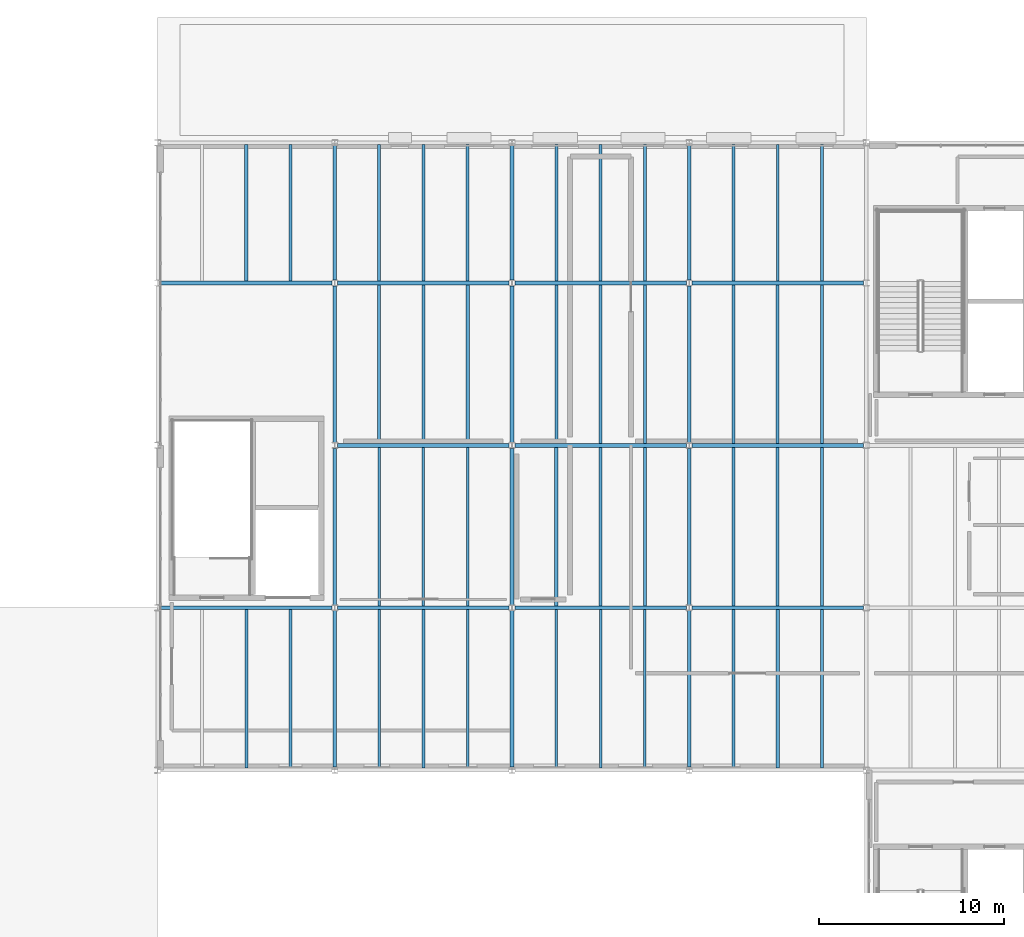
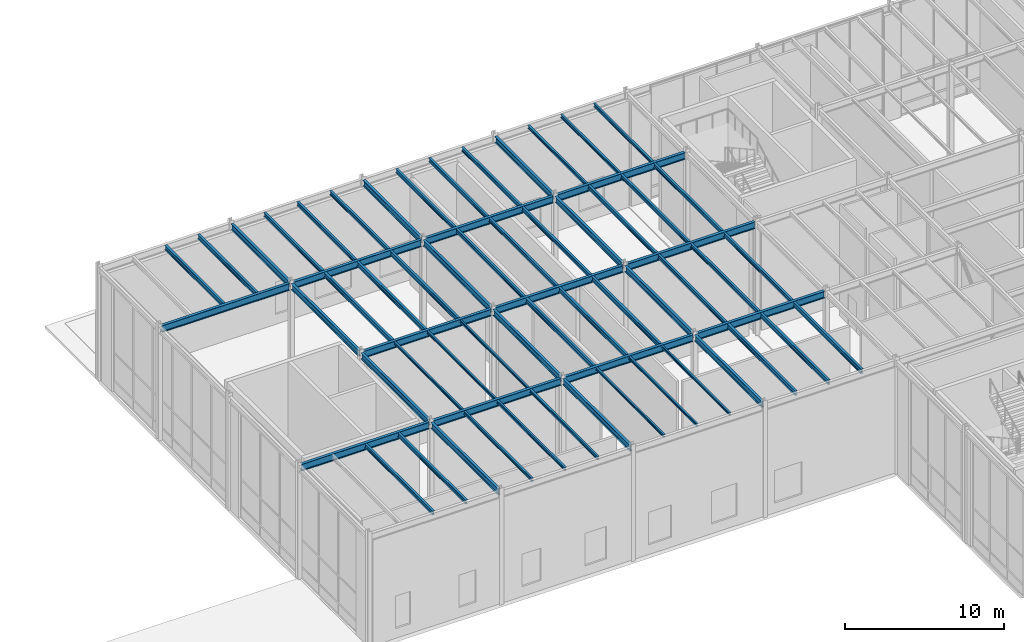
# One storey, part 13 of 48: 63 beams.
"""IFC4 building model written with IfcOpenShell, lengths in metres."""

from ifc_helpers import new_model, si_unit, direction, frame, origin, origin_2d, place, context, subcontext, project, spatial, i_section, extrude, material, material_profile, profile_set, type_object, element, save


model = new_model("IFC4")

# Units and contexts
model_context = context("Model", 3, precision=1e-05, world=origin(), true_north=direction((0.0, 1.0)))
body_context = subcontext(model_context, "Body", "Model", "MODEL_VIEW")
ifc_project = project(units=[si_unit("LENGTHUNIT", "METRE"), si_unit("AREAUNIT", "SQUARE_METRE"), si_unit("VOLUMEUNIT", "CUBIC_METRE"), si_unit("PLANEANGLEUNIT", "RADIAN"), si_unit("MASSUNIT", "GRAM", prefix="KILO")], contexts=[model_context])

# Site, building, storey
site_placement = place(None, origin())
site = spatial("IfcSite", under=ifc_project, at=site_placement, CompositionType="ELEMENT")
building_placement = place(site_placement, origin())
building = spatial("IfcBuilding", under=site, at=building_placement, Name="Sarnbrook Museum", CompositionType="ELEMENT")
storey_placement = place(building_placement, frame((0.0, 0.0, 19.10009765625)))
storey = spatial("IfcBuildingStorey", under=building, at=storey_placement, Name="L04", CompositionType="ELEMENT", Elevation=19.10009765625)

# Beams
ifc_material = material(Name="Structural Steel Grade 300PLUS (AS/NZS 3679.1, fy = 280 MPa for 17 < t <= 40 mm, 300 MPa for t <= 17 mm)", Category="steel")
ifc_material_profile_1 = material_profile(ifc_material, i_section(OverallWidth=0.18994140625, OverallDepth=0.45703125, WebThickness=0.009033203125, FlangeThickness=0.014404296875, FilletRadius=0.011474609375, at=origin_2d()), Name="460UB74.6")
ifc_profile_set_1 = profile_set([ifc_material_profile_1], Name="Structural Steel Grade 300PLUS (AS/NZS 3679.1, fy = 280 MPa for 17 < t <= 40 mm, 300 MPa for t <= 17 mm)")
beam_type_1 = type_object("IfcBeamType", Name="BM-UB460", PredefinedType="BEAM", material=ifc_profile_set_1)
beam_1_placement = place(storey_placement, frame((52.0, 74.5576171875, 8.521484375), z_axis=(0.0, 1.0, 0.0), x_axis=(-1.0, 0.0, 0.0)))
element("IfcBeam", 1, at=beam_1_placement, inside=storey, type_object=beam_type_1, Name="Girder 6:J-K L04", PredefinedType="BEAM", context=body_context, shape_type="SweptSolid", body=[
    extrude(i_section(OverallWidth=0.18994140625, OverallDepth=0.45703125, WebThickness=0.009033203125, FlangeThickness=0.014404296875, FilletRadius=0.011474609375, at=origin_2d()), origin(), (0.0, 0.0, 1.0), 8.48486328125),
])
for number, where, z_axis, x_axis, name in (
    (2, (52.0, 83.357421875, 8.521484375), (0.0, 1.0, 0.0), (-1.0, 0.0, 0.0), "Girder 6:K-L L04"),
    (3, (52.0, 92.157470703125, 8.521484375), (0.0, 1.0, 0.0), (-1.0, 0.0, 0.0), "Girder 6:L-M L04"),
):
    element("IfcBeam", number, at=place(storey_placement, frame(where, z_axis=z_axis, x_axis=x_axis)), inside=storey, type_object=beam_type_1, Name=name, PredefinedType="BEAM", context=body_context, shape_type="SweptSolid", body=[
        extrude(i_section(OverallWidth=0.18994140625, OverallDepth=0.45703125, WebThickness=0.009033203125, FlangeThickness=0.014404296875, FilletRadius=0.011474609375, at=origin_2d()), origin(), (0.0, 0.0, 1.0), 8.485107421875),
    ])
beam_2_placement = place(storey_placement, frame((52.0, 100.95751953125, 8.521484375), z_axis=(0.0, 1.0, 0.0), x_axis=(-1.0, 0.0, 0.0)))
element("IfcBeam", 4, at=beam_2_placement, inside=storey, type_object=beam_type_1, Name="Girder 6:M-N L04", PredefinedType="BEAM", context=body_context, shape_type="SweptSolid", body=[
    extrude(i_section(OverallWidth=0.18994140625, OverallDepth=0.45703125, WebThickness=0.009033203125, FlangeThickness=0.014404296875, FilletRadius=0.011474609375, at=origin_2d()), origin(), (0.0, 0.0, 1.0), 7.284912109375),
])
beam_3_placement = place(storey_placement, frame((61.60009765625, 74.5576171875, 8.521484375), z_axis=(0.0, 1.0, 0.0), x_axis=(-1.0, 0.0, 0.0)))
element("IfcBeam", 5, at=beam_3_placement, inside=storey, type_object=beam_type_1, Name="Girder 7:J-K L04", PredefinedType="BEAM", context=body_context, shape_type="SweptSolid", body=[
    extrude(i_section(OverallWidth=0.18994140625, OverallDepth=0.45703125, WebThickness=0.009033203125, FlangeThickness=0.014404296875, FilletRadius=0.011474609375, at=origin_2d()), origin(), (0.0, 0.0, 1.0), 8.48486328125),
])
for number, where, z_axis, x_axis, name in (
    (6, (61.60009765625, 83.357421875, 8.521484375), (0.0, 1.0, 0.0), (-1.0, 0.0, 0.0), "Girder 7:K-L L04"),
    (7, (61.60009765625, 92.157470703125, 8.521484375), (0.0, 1.0, 0.0), (-1.0, 0.0, 0.0), "Girder 7:L-M L04"),
):
    element("IfcBeam", number, at=place(storey_placement, frame(where, z_axis=z_axis, x_axis=x_axis)), inside=storey, type_object=beam_type_1, Name=name, PredefinedType="BEAM", context=body_context, shape_type="SweptSolid", body=[
        extrude(i_section(OverallWidth=0.18994140625, OverallDepth=0.45703125, WebThickness=0.009033203125, FlangeThickness=0.014404296875, FilletRadius=0.011474609375, at=origin_2d()), origin(), (0.0, 0.0, 1.0), 8.485107421875),
    ])
beam_4_placement = place(storey_placement, frame((61.60009765625, 100.95751953125, 8.521484375), z_axis=(0.0, 1.0, 0.0), x_axis=(-1.0, 0.0, 0.0)))
element("IfcBeam", 8, at=beam_4_placement, inside=storey, type_object=beam_type_1, Name="Girder 7:M-N L04", PredefinedType="BEAM", context=body_context, shape_type="SweptSolid", body=[
    extrude(i_section(OverallWidth=0.18994140625, OverallDepth=0.45703125, WebThickness=0.009033203125, FlangeThickness=0.014404296875, FilletRadius=0.011474609375, at=origin_2d()), origin(), (0.0, 0.0, 1.0), 7.284912109375),
])
beam_5_placement = place(storey_placement, frame((71.199951171875, 74.5576171875, 8.521484375), z_axis=(0.0, 1.0, 0.0), x_axis=(-1.0, 0.0, 0.0)))
element("IfcBeam", 9, at=beam_5_placement, inside=storey, type_object=beam_type_1, Name="Girder 8:J-K L04", PredefinedType="BEAM", context=body_context, shape_type="SweptSolid", body=[
    extrude(i_section(OverallWidth=0.18994140625, OverallDepth=0.45703125, WebThickness=0.009033203125, FlangeThickness=0.014404296875, FilletRadius=0.011474609375, at=origin_2d()), origin(), (0.0, 0.0, 1.0), 8.48486328125),
])
for number, where, z_axis, x_axis, name in (
    (10, (71.199951171875, 83.357421875, 8.521484375), (0.0, 1.0, 0.0), (-1.0, 0.0, 0.0), "Girder 8:K-L L04"),
    (11, (71.199951171875, 92.157470703125, 8.521484375), (0.0, 1.0, 0.0), (-1.0, 0.0, 0.0), "Girder 8:L-M L04"),
):
    element("IfcBeam", number, at=place(storey_placement, frame(where, z_axis=z_axis, x_axis=x_axis)), inside=storey, type_object=beam_type_1, Name=name, PredefinedType="BEAM", context=body_context, shape_type="SweptSolid", body=[
        extrude(i_section(OverallWidth=0.18994140625, OverallDepth=0.45703125, WebThickness=0.009033203125, FlangeThickness=0.014404296875, FilletRadius=0.011474609375, at=origin_2d()), origin(), (0.0, 0.0, 1.0), 8.485107421875),
    ])
beam_6_placement = place(storey_placement, frame((71.199951171875, 100.95751953125, 8.521484375), z_axis=(0.0, 1.0, 0.0), x_axis=(-1.0, 0.0, 0.0)))
element("IfcBeam", 12, at=beam_6_placement, inside=storey, type_object=beam_type_1, Name="Girder 8:M-N L04", PredefinedType="BEAM", context=body_context, shape_type="SweptSolid", body=[
    extrude(i_section(OverallWidth=0.18994140625, OverallDepth=0.45703125, WebThickness=0.009033203125, FlangeThickness=0.014404296875, FilletRadius=0.011474609375, at=origin_2d()), origin(), (0.0, 0.0, 1.0), 7.284912109375),
])
ifc_material_profile_2 = material_profile(ifc_material, i_section(OverallWidth=0.208984375, OverallDepth=0.532958984375, WebThickness=0.01025390625, FlangeThickness=0.015625, FilletRadius=0.013916015625, at=origin_2d()), Name="530UB92.4")
ifc_profile_set_2 = profile_set([ifc_material_profile_2], Name="Structural Steel Grade 300PLUS (AS/NZS 3679.1, fy = 280 MPa for 17 < t <= 40 mm, 300 MPa for t <= 17 mm)")
beam_type_2 = type_object("IfcBeamType", Name="BM-UB530", PredefinedType="BEAM", material=ifc_profile_set_2)
for number, where, z_axis, x_axis, name in (
    (13, (42.553466796875, 83.199951171875, 8.4833984375), (1.0, 0.0, 0.0), (0.0, 1.0, 0.0), "Girder K:5-6 L04"),
    (14, (52.153564453125, 83.199951171875, 8.4833984375), (1.0, 0.0, 0.0), (0.0, 1.0, 0.0), "Girder K:6-7 L04"),
    (15, (61.75341796875, 83.199951171875, 8.4833984375), (1.0, 0.0, 0.0), (0.0, 1.0, 0.0), "Girder K:7-8 L04"),
    (16, (71.353515625, 83.199951171875, 8.4833984375), (1.0, 0.0, 0.0), (0.0, 1.0, 0.0), "Girder K:8-9 L04"),
    (17, (52.153564453125, 92.0, 8.4833984375), (1.0, 0.0, 0.0), (0.0, 1.0, 0.0), "Girder L:6-7 L04"),
    (18, (61.75341796875, 92.0, 8.4833984375), (1.0, 0.0, 0.0), (0.0, 1.0, 0.0), "Girder L:7-8 L04"),
    (19, (71.353515625, 92.0, 8.4833984375), (1.0, 0.0, 0.0), (0.0, 1.0, 0.0), "Girder L:8-9 L04"),
    (20, (42.553466796875, 100.800048828125, 8.4833984375), (1.0, 0.0, 0.0), (0.0, 1.0, 0.0), "Girder M:5-6 L04"),
    (21, (52.153564453125, 100.800048828125, 8.4833984375), (1.0, 0.0, 0.0), (0.0, 1.0, 0.0), "Girder M:6-7 L04"),
    (22, (61.75341796875, 100.800048828125, 8.4833984375), (1.0, 0.0, 0.0), (0.0, 1.0, 0.0), "Girder M:7-8 L04"),
    (23, (71.353515625, 100.800048828125, 8.4833984375), (1.0, 0.0, 0.0), (0.0, 1.0, 0.0), "Girder M:8-9 L04"),
):
    element("IfcBeam", number, at=place(storey_placement, frame(where, z_axis=z_axis, x_axis=x_axis)), inside=storey, type_object=beam_type_2, Name=name, PredefinedType="BEAM", context=body_context, shape_type="SweptSolid", body=[
        extrude(i_section(OverallWidth=0.208984375, OverallDepth=0.532958984375, WebThickness=0.01025390625, FlangeThickness=0.015625, FilletRadius=0.013916015625, at=origin_2d()), origin(), (0.0, 0.0, 1.0), 9.29296875),
    ])
ifc_material_profile_3 = material_profile(ifc_material, i_section(OverallWidth=0.134033203125, OverallDepth=0.20703125, WebThickness=0.00634765625, FlangeThickness=0.009521484375, FilletRadius=0.0087890625, at=origin_2d()), Name="200UB29.8")
ifc_profile_set_3 = profile_set([ifc_material_profile_3], Name="Structural Steel Grade 300PLUS (AS/NZS 3679.1, fy = 280 MPa for 17 < t <= 40 mm, 300 MPa for t <= 17 mm)")
beam_type_3 = type_object("IfcBeamType", Name="JS-UB200", PredefinedType="JOIST", material=ifc_profile_set_3)
for number, where, z_axis, x_axis, name in (
    (24, (54.39990234375, 83.304443359375, 8.646484375), (0.0, 1.0, 0.0), (-1.0, 0.0, 0.0), "Composite Floor Joist 6K-1 L04"),
    (25, (56.800048828125, 83.304443359375, 8.646484375), (0.0, 1.0, 0.0), (-1.0, 0.0, 0.0), "Composite Floor Joist 6K-2 L04"),
    (26, (59.199951171875, 83.304443359375, 8.646484375), (0.0, 1.0, 0.0), (-1.0, 0.0, 0.0), "Composite Floor Joist 6K-3 L04"),
    (27, (64.0, 74.50439453125, 8.646484375), (0.0, 1.0, 0.0), (-1.0, 0.0, 0.0), "Composite Floor Joist 7J-1 L04"),
    (28, (66.39990234375, 74.50439453125, 8.646484375), (0.0, 1.0, 0.0), (-1.0, 0.0, 0.0), "Composite Floor Joist 7J-2 L04"),
    (29, (68.800048828125, 74.50439453125, 8.646484375), (0.0, 1.0, 0.0), (-1.0, 0.0, 0.0), "Composite Floor Joist 7J-3 L04"),
):
    element("IfcBeam", number, at=place(storey_placement, frame(where, z_axis=z_axis, x_axis=x_axis)), inside=storey, type_object=beam_type_3, Name=name, PredefinedType="JOIST", context=body_context, shape_type="SweptSolid", body=[
        extrude(i_section(OverallWidth=0.134033203125, OverallDepth=0.20703125, WebThickness=0.00634765625, FlangeThickness=0.009521484375, FilletRadius=0.0087890625, at=origin_2d()), origin(), (0.0, 0.0, 1.0), 8.591064453125),
    ])
ifc_material_profile_4 = material_profile(ifc_material, i_section(OverallWidth=0.14599609375, OverallDepth=0.256103515625, WebThickness=0.00634765625, FlangeThickness=0.010986328125, FilletRadius=0.0087890625, at=origin_2d()), Name="250UB37.3")
ifc_profile_set_4 = profile_set([ifc_material_profile_4], Name="Structural Steel Grade 300PLUS (AS/NZS 3679.1, fy = 280 MPa for 17 < t <= 40 mm, 300 MPa for t <= 17 mm)")
beam_type_4 = type_object("IfcBeamType", Name="JS-UB250", PredefinedType="JOIST", material=ifc_profile_set_4)
for number, where, z_axis, x_axis, name in (
    (30, (54.39990234375, 74.50439453125, 8.621826171875), (0.0, 1.0, 0.0), (-1.0, 0.0, 0.0), "Composite Floor Joist 6J-1 L04"),
    (31, (56.800048828125, 74.50439453125, 8.621826171875), (0.0, 1.0, 0.0), (-1.0, 0.0, 0.0), "Composite Floor Joist 6J-2 L04"),
    (32, (59.199951171875, 74.50439453125, 8.621826171875), (0.0, 1.0, 0.0), (-1.0, 0.0, 0.0), "Composite Floor Joist 6J-3 L04"),
):
    element("IfcBeam", number, at=place(storey_placement, frame(where, z_axis=z_axis, x_axis=x_axis)), inside=storey, type_object=beam_type_4, Name=name, PredefinedType="JOIST", context=body_context, shape_type="SweptSolid", body=[
        extrude(i_section(OverallWidth=0.14599609375, OverallDepth=0.256103515625, WebThickness=0.00634765625, FlangeThickness=0.010986328125, FilletRadius=0.0087890625, at=origin_2d()), origin(), (0.0, 0.0, 1.0), 8.591064453125),
    ])
for number, where, z_axis, x_axis, name in (
    (33, (73.60009765625, 100.904541015625, 8.621826171875), (0.0, 1.0, 0.0), (-1.0, 0.0, 0.0), "Composite Floor Joist 8M-1 L04"),
    (34, (76.0, 100.904541015625, 8.621826171875), (0.0, 1.0, 0.0), (-1.0, 0.0, 0.0), "Composite Floor Joist 8M-2 L04"),
    (35, (78.39990234375, 100.904541015625, 8.621826171875), (0.0, 1.0, 0.0), (-1.0, 0.0, 0.0), "Composite Floor Joist 8M-3 L04"),
):
    element("IfcBeam", number, at=place(storey_placement, frame(where, z_axis=z_axis, x_axis=x_axis)), inside=storey, type_object=beam_type_4, Name=name, PredefinedType="JOIST", context=body_context, shape_type="SweptSolid", body=[
        extrude(i_section(OverallWidth=0.14599609375, OverallDepth=0.256103515625, WebThickness=0.00634765625, FlangeThickness=0.010986328125, FilletRadius=0.0087890625, at=origin_2d()), origin(), (0.0, 0.0, 1.0), 7.390869140625),
    ])
ifc_material_profile_5 = material_profile(ifc_material, i_section(OverallWidth=0.1650390625, OverallDepth=0.303955078125, WebThickness=0.006103515625, FlangeThickness=0.01025390625, FilletRadius=0.011474609375, at=origin_2d()), Name="310UB40.4")
ifc_profile_set_5 = profile_set([ifc_material_profile_5], Name="Structural Steel Grade 300PLUS (AS/NZS 3679.1, fy = 280 MPa for 17 < t <= 40 mm, 300 MPa for t <= 17 mm)")
beam_type_5 = type_object("IfcBeamType", Name="JS-UB310", PredefinedType="JOIST", material=ifc_profile_set_5)
for number, where, z_axis, x_axis, name in (
    (36, (47.199951171875, 74.50439453125, 8.597900390625), (0.0, 1.0, 0.0), (-1.0, 0.0, 0.0), "Composite Floor Joist 5J-2 L04"),
    (37, (49.60009765625, 74.50439453125, 8.597900390625), (0.0, 1.0, 0.0), (-1.0, 0.0, 0.0), "Composite Floor Joist 5J-3 L04"),
):
    element("IfcBeam", number, at=place(storey_placement, frame(where, z_axis=z_axis, x_axis=x_axis)), inside=storey, type_object=beam_type_5, Name=name, PredefinedType="JOIST", context=body_context, shape_type="SweptSolid", body=[
        extrude(i_section(OverallWidth=0.1650390625, OverallDepth=0.303955078125, WebThickness=0.006103515625, FlangeThickness=0.01025390625, FilletRadius=0.011474609375, at=origin_2d()), origin(), (0.0, 0.0, 1.0), 8.591064453125),
    ])
for number, where, z_axis, x_axis, name in (
    (38, (64.0, 100.904541015625, 8.597900390625), (0.0, 1.0, 0.0), (-1.0, 0.0, 0.0), "Composite Floor Joist 7M-1 L04"),
    (39, (66.39990234375, 100.904541015625, 8.597900390625), (0.0, 1.0, 0.0), (-1.0, 0.0, 0.0), "Composite Floor Joist 7M-2 L04"),
    (40, (68.800048828125, 100.904541015625, 8.597900390625), (0.0, 1.0, 0.0), (-1.0, 0.0, 0.0), "Composite Floor Joist 7M-3 L04"),
):
    element("IfcBeam", number, at=place(storey_placement, frame(where, z_axis=z_axis, x_axis=x_axis)), inside=storey, type_object=beam_type_5, Name=name, PredefinedType="JOIST", context=body_context, shape_type="SweptSolid", body=[
        extrude(i_section(OverallWidth=0.1650390625, OverallDepth=0.303955078125, WebThickness=0.006103515625, FlangeThickness=0.01025390625, FilletRadius=0.011474609375, at=origin_2d()), origin(), (0.0, 0.0, 1.0), 7.390869140625),
    ])
for number, where, z_axis, x_axis, name in (
    (41, (73.60009765625, 92.1044921875, 8.597900390625), (0.0, 1.0, 0.0), (-1.0, 0.0, 0.0), "Composite Floor Joist 8L-1 L04"),
    (42, (76.0, 92.1044921875, 8.597900390625), (0.0, 1.0, 0.0), (-1.0, 0.0, 0.0), "Composite Floor Joist 8L-2 L04"),
    (43, (78.39990234375, 92.1044921875, 8.597900390625), (0.0, 1.0, 0.0), (-1.0, 0.0, 0.0), "Composite Floor Joist 8L-3 L04"),
):
    element("IfcBeam", number, at=place(storey_placement, frame(where, z_axis=z_axis, x_axis=x_axis)), inside=storey, type_object=beam_type_5, Name=name, PredefinedType="JOIST", context=body_context, shape_type="SweptSolid", body=[
        extrude(i_section(OverallWidth=0.1650390625, OverallDepth=0.303955078125, WebThickness=0.006103515625, FlangeThickness=0.01025390625, FilletRadius=0.011474609375, at=origin_2d()), origin(), (0.0, 0.0, 1.0), 8.591064453125),
    ])
ifc_material_profile_6 = material_profile(ifc_material, i_section(OverallWidth=0.166015625, OverallDepth=0.306884765625, WebThickness=0.006591796875, FlangeThickness=0.01171875, FilletRadius=0.011474609375, at=origin_2d()), Name="310UB46.2")
ifc_profile_set_6 = profile_set([ifc_material_profile_6], Name="Structural Steel Grade 300PLUS (AS/NZS 3679.1, fy = 280 MPa for 17 < t <= 40 mm, 300 MPa for t <= 17 mm)")
beam_type_6 = type_object("IfcBeamType", Name="JS-UB310H", PredefinedType="JOIST", material=ifc_profile_set_6)
for number, where, z_axis, x_axis, name in (
    (44, (54.39990234375, 100.904541015625, 8.596435546875), (0.0, 1.0, 0.0), (-1.0, 0.0, 0.0), "Composite Floor Joist 6M-1 L04"),
    (45, (56.800048828125, 100.904541015625, 8.596435546875), (0.0, 1.0, 0.0), (-1.0, 0.0, 0.0), "Composite Floor Joist 6M-2 L04"),
    (46, (59.199951171875, 100.904541015625, 8.596435546875), (0.0, 1.0, 0.0), (-1.0, 0.0, 0.0), "Composite Floor Joist 6M-3 L04"),
):
    element("IfcBeam", number, at=place(storey_placement, frame(where, z_axis=z_axis, x_axis=x_axis)), inside=storey, type_object=beam_type_6, Name=name, PredefinedType="JOIST", context=body_context, shape_type="SweptSolid", body=[
        extrude(i_section(OverallWidth=0.166015625, OverallDepth=0.306884765625, WebThickness=0.006591796875, FlangeThickness=0.01171875, FilletRadius=0.011474609375, at=origin_2d()), origin(), (0.0, 0.0, 1.0), 7.390869140625),
    ])
for number, where, z_axis, x_axis, name in (
    (47, (64.0, 92.1044921875, 8.596435546875), (0.0, 1.0, 0.0), (-1.0, 0.0, 0.0), "Composite Floor Joist 7L-1 L04"),
    (48, (66.39990234375, 92.1044921875, 8.596435546875), (0.0, 1.0, 0.0), (-1.0, 0.0, 0.0), "Composite Floor Joist 7L-2 L04"),
    (49, (68.800048828125, 92.1044921875, 8.596435546875), (0.0, 1.0, 0.0), (-1.0, 0.0, 0.0), "Composite Floor Joist 7L-3 L04"),
    (50, (73.60009765625, 83.304443359375, 8.596435546875), (0.0, 1.0, 0.0), (-1.0, 0.0, 0.0), "Composite Floor Joist 8K-1 L04"),
    (51, (76.0, 83.304443359375, 8.596435546875), (0.0, 1.0, 0.0), (-1.0, 0.0, 0.0), "Composite Floor Joist 8K-2 L04"),
    (52, (78.39990234375, 83.304443359375, 8.596435546875), (0.0, 1.0, 0.0), (-1.0, 0.0, 0.0), "Composite Floor Joist 8K-3 L04"),
):
    element("IfcBeam", number, at=place(storey_placement, frame(where, z_axis=z_axis, x_axis=x_axis)), inside=storey, type_object=beam_type_6, Name=name, PredefinedType="JOIST", context=body_context, shape_type="SweptSolid", body=[
        extrude(i_section(OverallWidth=0.166015625, OverallDepth=0.306884765625, WebThickness=0.006591796875, FlangeThickness=0.01171875, FilletRadius=0.011474609375, at=origin_2d()), origin(), (0.0, 0.0, 1.0), 8.591064453125),
    ])
ifc_material_profile_7 = material_profile(ifc_material, i_section(OverallWidth=0.1708984375, OverallDepth=0.35595703125, WebThickness=0.00732421875, FlangeThickness=0.011474609375, FilletRadius=0.011474609375, at=origin_2d()), Name="360UB50.7")
ifc_profile_set_7 = profile_set([ifc_material_profile_7], Name="Structural Steel Grade 300PLUS (AS/NZS 3679.1, fy = 280 MPa for 17 < t <= 40 mm, 300 MPa for t <= 17 mm)")
beam_type_7 = type_object("IfcBeamType", Name="JS-UB360", PredefinedType="JOIST", material=ifc_profile_set_7)
for number, where, z_axis, x_axis, name in (
    (53, (47.199951171875, 100.904541015625, 8.572021484375), (0.0, 1.0, 0.0), (-1.0, 0.0, 0.0), "Composite Floor Joist 5M-2 L04"),
    (54, (49.60009765625, 100.904541015625, 8.572021484375), (0.0, 1.0, 0.0), (-1.0, 0.0, 0.0), "Composite Floor Joist 5M-3 L04"),
):
    element("IfcBeam", number, at=place(storey_placement, frame(where, z_axis=z_axis, x_axis=x_axis)), inside=storey, type_object=beam_type_7, Name=name, PredefinedType="JOIST", context=body_context, shape_type="SweptSolid", body=[
        extrude(i_section(OverallWidth=0.1708984375, OverallDepth=0.35595703125, WebThickness=0.00732421875, FlangeThickness=0.011474609375, FilletRadius=0.011474609375, at=origin_2d()), origin(), (0.0, 0.0, 1.0), 7.390869140625),
    ])
for number, where, z_axis, x_axis, name in (
    (55, (54.39990234375, 92.1044921875, 8.572021484375), (0.0, 1.0, 0.0), (-1.0, 0.0, 0.0), "Composite Floor Joist 6L-1 L04"),
    (56, (56.800048828125, 92.1044921875, 8.572021484375), (0.0, 1.0, 0.0), (-1.0, 0.0, 0.0), "Composite Floor Joist 6L-2 L04"),
    (57, (59.199951171875, 92.1044921875, 8.572021484375), (0.0, 1.0, 0.0), (-1.0, 0.0, 0.0), "Composite Floor Joist 6L-3 L04"),
    (58, (64.0, 83.304443359375, 8.572021484375), (0.0, 1.0, 0.0), (-1.0, 0.0, 0.0), "Composite Floor Joist 7K-1 L04"),
    (59, (66.39990234375, 83.304443359375, 8.572021484375), (0.0, 1.0, 0.0), (-1.0, 0.0, 0.0), "Composite Floor Joist 7K-2 L04"),
    (60, (68.800048828125, 83.304443359375, 8.572021484375), (0.0, 1.0, 0.0), (-1.0, 0.0, 0.0), "Composite Floor Joist 7K-3 L04"),
    (61, (73.60009765625, 74.50439453125, 8.572021484375), (0.0, 1.0, 0.0), (-1.0, 0.0, 0.0), "Composite Floor Joist 8J-1 L04"),
    (62, (76.0, 74.50439453125, 8.572021484375), (0.0, 1.0, 0.0), (-1.0, 0.0, 0.0), "Composite Floor Joist 8J-2 L04"),
    (63, (78.39990234375, 74.50439453125, 8.572021484375), (0.0, 1.0, 0.0), (-1.0, 0.0, 0.0), "Composite Floor Joist 8J-3 L04"),
):
    element("IfcBeam", number, at=place(storey_placement, frame(where, z_axis=z_axis, x_axis=x_axis)), inside=storey, type_object=beam_type_7, Name=name, PredefinedType="JOIST", context=body_context, shape_type="SweptSolid", body=[
        extrude(i_section(OverallWidth=0.1708984375, OverallDepth=0.35595703125, WebThickness=0.00732421875, FlangeThickness=0.011474609375, FilletRadius=0.011474609375, at=origin_2d()), origin(), (0.0, 0.0, 1.0), 8.591064453125),
    ])

save(model, "model.ifc")
